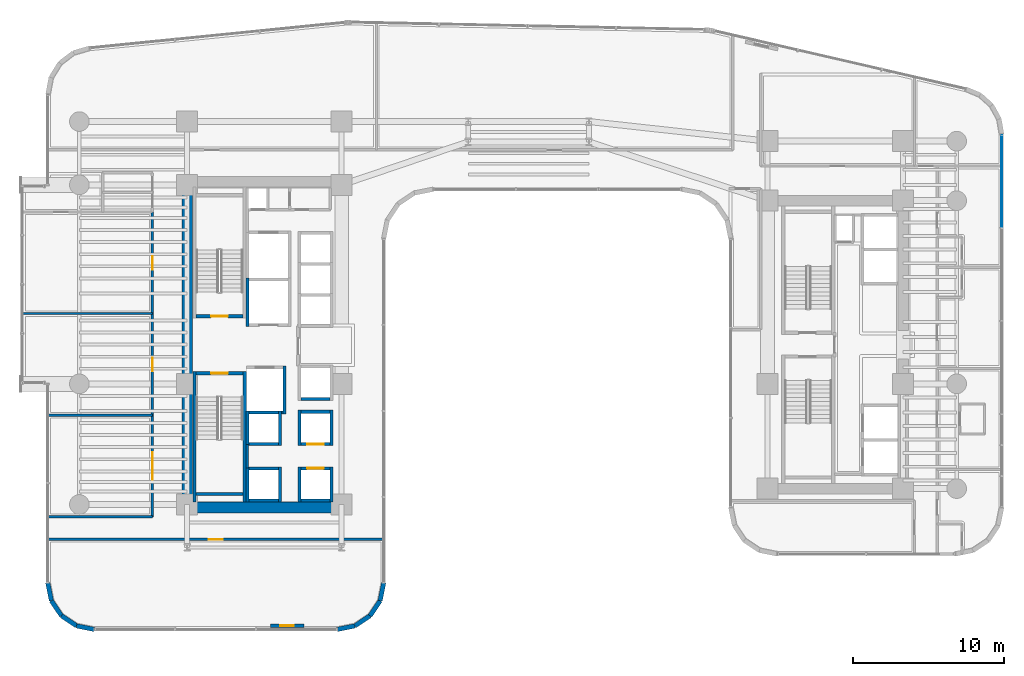
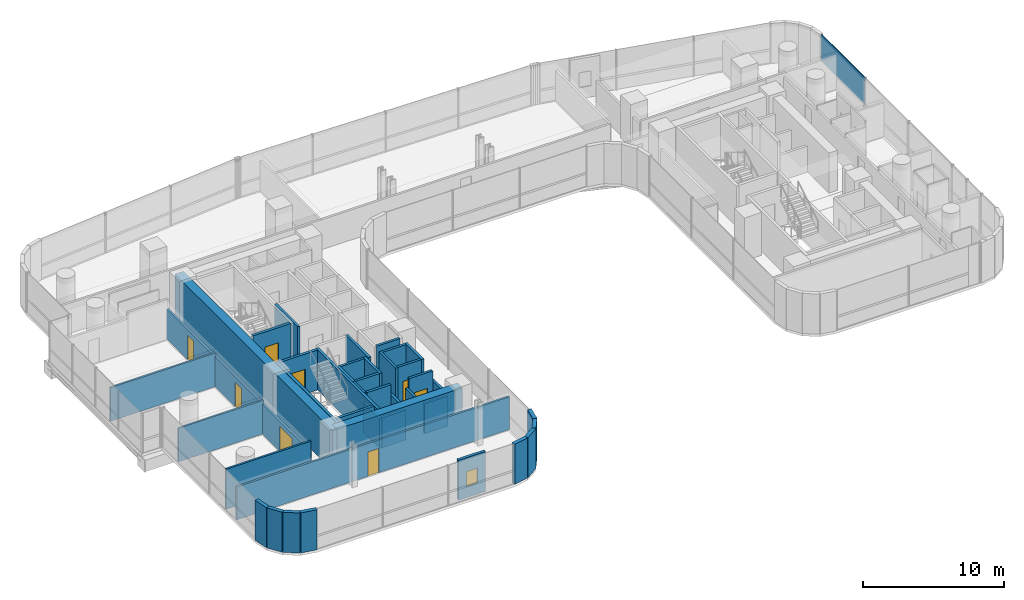
# One storey, part 29 of 39: 41 walls, 8 doors, 1 plate, 1 window, 9 openings, 1 element without a shape of its own.
"""IFC4 building model written with IfcOpenShell, lengths in metres."""

from ifc_helpers import new_model, si_unit, direction, frame, frame_2d, origin, origin_2d, place, context, subcontext, project, spatial, rectangle, extrude, source, transform, mapped, material, layer, layer_set, type_object, element, fill, aggregate, save


model = new_model("IFC4")

# Units and contexts
model_context = context("Model", 3, precision=1e-05, world=origin(), true_north=direction((0.0, 1.0)))
body_context = subcontext(model_context, "Body", "Model", "MODEL_VIEW")
ifc_project = project(units=[si_unit("LENGTHUNIT", "METRE"), si_unit("AREAUNIT", "SQUARE_METRE"), si_unit("VOLUMEUNIT", "CUBIC_METRE"), si_unit("PLANEANGLEUNIT", "RADIAN"), si_unit("MASSUNIT", "GRAM", prefix="KILO")], contexts=[model_context])

# Site, building, storey
site_placement = place(None, origin())
site = spatial("IfcSite", under=ifc_project, at=site_placement, CompositionType="ELEMENT")
building_placement = place(site_placement, origin())
building = spatial("IfcBuilding", under=site, at=building_placement, Name="Valdorenza Pilgrim Sanctuary Tower", CompositionType="ELEMENT")
storey_placement = place(building_placement, frame((0.0, 0.0, 74.10009765625)))
storey = spatial("IfcBuildingStorey", under=building, at=storey_placement, Name="L18", CompositionType="ELEMENT", Elevation=74.10009765625)

# Curtain wall, plate
ifc_material_1 = material(Name="Curtain-wall IGU glazing", Category="glass")
curtain_wall_type = type_object("IfcCurtainWallType", Name="CW-SYS-03", PredefinedType="NOTDEFINED", material=ifc_material_1)
curtain_wall_placement = place(storey_placement, origin())
curtain_wall = element("IfcCurtainWall", 1, at=curtain_wall_placement, inside=storey, type_object=curtain_wall_type, Name="L18 Curtain Wall CW-L18-1-21", PredefinedType="NOTDEFINED")
ifc_material_2 = material(Name="Ceramic-fritted low-E IGU glazing", Category="glass")
ifc_layer_1 = layer(ifc_material_2, 0.035888671875, Name="Ceramic-fritted low-E IGU glazing")
ifc_layer_set_1 = layer_set([ifc_layer_1], Name="Ceramic-fritted low-E IGU glazing")
plate_type = type_object("IfcPlateType", Name="CW-GLZ-IGU", PredefinedType="USERDEFINED", material=ifc_layer_set_1)
shared_shape = source(origin(), body_context, "Body", "SweptSolid", [
    extrude(rectangle(XDim=6.16357421875, YDim=0.050048828125, at=origin_2d()), origin(), (0.0, 0.0, 1.0), 2.320068359375),
])
plate_placement = place(storey_placement, frame((31.389892578125, 10.853271484375, 1.1298828125), z_axis=(0.0, 0.0, 1.0), x_axis=(0.0, -1.0, 0.0)))
plate = element("IfcPlate", 2, at=plate_placement, type_object=plate_type, Name="CW-L18-1-21 Facade Panel 1", ObjectType="GLAZING", PredefinedType="USERDEFINED", context=body_context, shape_type="MappedRepresentation", body=[
    mapped(shared_shape, transform((0.0, 0.0, 0.0), x_axis=(1.0, 0.0, 0.0), y_axis=(0.0, 1.0, 0.0), z_axis=(0.0, 0.0, 1.0), scale=1.0)),
])
aggregate(curtain_wall, [plate])

# Wall
ifc_material_3 = material(Name="Acoustic twin-stud gypsum partition", Category="gypsum")
ifc_layer_2 = layer(ifc_material_3, 0.159912109375, Name="Acoustic twin-stud gypsum partition")
ifc_layer_set_2 = layer_set([ifc_layer_2], Name="Acoustic twin-stud gypsum partition")
wall_type_1 = type_object("IfcWallType", Name="WAL-COR-160", PredefinedType="PARTITIONING", material=ifc_layer_set_2)
wall_1_placement = place(storey_placement, frame((-18.64990234375, -8.179931640625, 0.0), z_axis=(0.0, 0.0, 1.0), x_axis=(0.0, 1.0, 0.0)))
element("IfcWall", 3, at=wall_1_placement, inside=storey, type_object=wall_type_1, Name="L18 Core A South Lift Hall West Wall", PredefinedType="PARTITIONING", context=body_context, shape_type="SweptSolid", body=[
    extrude(rectangle(XDim=1.559814453125, YDim=0.159912109375, at=frame_2d((0.77978515625, 0.0))), origin(), (0.0, 0.0, 1.0), 3.4599609375),
])

# Wall, openings, doors
wall_2_placement = place(storey_placement, frame((-24.949951171875, -11.419921875, 0.0), z_axis=(0.0, 0.0, 1.0), x_axis=(0.0, 1.0, 0.0)))
wall_2 = element("IfcWall", 4, at=wall_2_placement, inside=storey, type_object=wall_type_1, Name="L18 West Wing Corridor Wall", PredefinedType="PARTITIONING", context=body_context, shape_type="SweptSolid", body=[
    extrude(rectangle(XDim=20.219970703125, YDim=0.159912109375, at=frame_2d((10.10986328125, 0.0))), origin(), (0.0, 0.0, 1.0), 2.5830078125),
])
opening_1_placement = place(wall_2_placement, frame((2.469970703125, 0.0, 0.0)))
opening_1 = element("IfcOpeningElement", 5, at=opening_1_placement, cuts=wall_2, Name="Opening DR-HL1", PredefinedType="OPENING", context=body_context, shape_type="SweptSolid", body=[
    extrude(rectangle(XDim=1.800048828125, YDim=2.14990234375, at=frame_2d((0.89990234375, 1.074951171875))), frame((0.0, 0.0947265625, 0.0), z_axis=(0.0, -1.0, 0.0), x_axis=(1.0, 0.0, 0.0)), (0.0, 0.0, 1.0), 0.189697265625),
])
opening_2_placement = place(wall_2_placement, frame((9.659912109375, 0.0, 0.0)))
opening_2 = element("IfcOpeningElement", 6, at=opening_2_placement, cuts=wall_2, Name="Opening DR-RM1", PredefinedType="OPENING", context=body_context, shape_type="SweptSolid", body=[
    extrude(rectangle(XDim=0.89990234375, YDim=2.10009765625, at=frame_2d((0.449951171875, 1.050048828125))), frame((0.0, 0.0947265625, 0.0), z_axis=(0.0, -1.0, 0.0), x_axis=(1.0, 0.0, 0.0)), (0.0, 0.0, 1.0), 0.189697265625),
])
opening_3_placement = place(wall_2_placement, frame((16.39990234375, 0.0, 0.0)))
opening_3 = element("IfcOpeningElement", 7, at=opening_3_placement, cuts=wall_2, Name="Opening DR-RM1", PredefinedType="OPENING", context=body_context, shape_type="SweptSolid", body=[
    extrude(rectangle(XDim=0.89990234375, YDim=2.10009765625, at=frame_2d((0.449951171875, 1.050048828125))), frame((0.0, 0.0947265625, 0.0), z_axis=(0.0, -1.0, 0.0), x_axis=(1.0, 0.0, 0.0)), (0.0, 0.0, 1.0), 0.189697265625),
])
ifc_material_4 = material(Name="Acoustic oak and vision-glass double door", Category="glass")
door_type_1 = type_object("IfcDoorType", Name="DR-HALL-1800", OperationType="NOTDEFINED", PredefinedType="DOOR", material=ifc_material_4)
door_1_placement = place(opening_1_placement, frame((1.800048828125, 0.0, 0.0), z_axis=(0.0, 0.0, 1.0), x_axis=(-1.0, 0.0, 0.0)))
door_1 = element("IfcDoor", 8, at=door_1_placement, inside=storey, type_object=door_type_1, Name="L18 Main Pilgrim Dining Restaurant L18 Door", OperationType="DOUBLE_DOOR_SINGLE_SWING", OverallHeight=2.14990234375, OverallWidth=1.800048828125, PredefinedType="DOOR", context=body_context, shape_type="SweptSolid", body=[
    extrude(rectangle(XDim=1.800048828125, YDim=2.14990234375, at=frame_2d((0.89990234375, 1.074951171875))), frame((0.0, 0.02490234375, 0.0), z_axis=(0.0, -1.0, 0.0), x_axis=(1.0, 0.0, 0.0)), (0.0, 0.0, 1.0), 0.050048828125),
])
fill(opening_1, door_1)
ifc_material_5 = material(Name="Solid-core European oak timber", Category="wood")
door_type_2 = type_object("IfcDoorType", Name="DR-ROOM-900", OperationType="NOTDEFINED", PredefinedType="DOOR", material=ifc_material_5)
door_2_placement = place(opening_2_placement, origin())
door_2 = element("IfcDoor", 9, at=door_2_placement, inside=storey, type_object=door_type_2, Name="L18 Commercial Refectory Kitchen L18 Door", OperationType="SINGLE_SWING_RIGHT", OverallHeight=2.10009765625, OverallWidth=0.89990234375, PredefinedType="DOOR", context=body_context, shape_type="SweptSolid", body=[
    extrude(rectangle(XDim=0.89990234375, YDim=2.10009765625, at=frame_2d((0.449951171875, 1.050048828125))), frame((0.0, 0.02490234375, 0.0), z_axis=(0.0, -1.0, 0.0), x_axis=(1.0, 0.0, 0.0)), (0.0, 0.0, 1.0), 0.050048828125),
])
fill(opening_2, door_2)
door_3_placement = place(opening_3_placement, frame((0.89990234375, 0.0, 0.0), z_axis=(0.0, 0.0, 1.0), x_axis=(-1.0, 0.0, 0.0)))
door_3 = element("IfcDoor", 10, at=door_3_placement, inside=storey, type_object=door_type_2, Name="L18 Private Banquet Dining Room L18 Door", OperationType="SINGLE_SWING_LEFT", OverallHeight=2.10009765625, OverallWidth=0.89990234375, PredefinedType="DOOR", context=body_context, shape_type="SweptSolid", body=[
    extrude(rectangle(XDim=0.89990234375, YDim=2.10009765625, at=frame_2d((0.449951171875, 1.050048828125))), frame((0.0, 0.02490234375, 0.0), z_axis=(0.0, -1.0, 0.0), x_axis=(1.0, 0.0, 0.0)), (0.0, 0.0, 1.0), 0.050048828125),
])
fill(opening_3, door_3)

# Wall, opening, door
wall_3_placement = place(storey_placement, frame((-31.889892578125, -12.919921875, 0.0), z_axis=(0.0, 0.0, 1.0), x_axis=(1.0, 0.0, 0.0)))
wall_3 = element("IfcWall", 11, at=wall_3_placement, inside=storey, type_object=wall_type_1, Name="L18 South Wing Corridor Wall", PredefinedType="PARTITIONING", context=body_context, shape_type="SweptSolid", body=[
    extrude(rectangle(XDim=22.27978515625, YDim=0.159912109375, at=frame_2d((11.139892578125, 0.0))), origin(), (0.0, 0.0, 1.0), 2.833984375),
])
opening_4_placement = place(wall_3_placement, frame((10.68994140625, 0.0, 0.0)))
opening_4 = element("IfcOpeningElement", 12, at=opening_4_placement, cuts=wall_3, Name="Opening DR-RM1", PredefinedType="OPENING", context=body_context, shape_type="SweptSolid", body=[
    extrude(rectangle(XDim=0.89990234375, YDim=2.10009765625, at=frame_2d((0.449951171875, 1.050048828125))), frame((0.0, 0.0947265625, 0.0), z_axis=(0.0, -1.0, 0.0), x_axis=(1.0, 0.0, 0.0)), (0.0, 0.0, 1.0), 0.189697265625),
])
door_4_placement = place(opening_4_placement, origin())
door_4 = element("IfcDoor", 13, at=door_4_placement, inside=storey, type_object=door_type_2, Name="L18 Retreat Discussion Room L18-S1 Door", OperationType="SINGLE_SWING_RIGHT", OverallHeight=2.10009765625, OverallWidth=0.89990234375, PredefinedType="DOOR", context=body_context, shape_type="SweptSolid", body=[
    extrude(rectangle(XDim=0.89990234375, YDim=2.10009765625, at=frame_2d((0.449951171875, 1.050048828125))), frame((0.0, 0.02490234375, 0.0), z_axis=(0.0, -1.0, 0.0), x_axis=(1.0, 0.0, 0.0)), (0.0, 0.0, 1.0), 0.050048828125),
])
fill(opening_4, door_4)

# Walls
wall_4_placement = place(storey_placement, frame((-31.889892578125, -11.419921875, 0.0), z_axis=(0.0, 0.0, 1.0), x_axis=(1.0, 0.0, 0.0)))
element("IfcWall", 14, at=wall_4_placement, inside=storey, type_object=wall_type_1, Name="L18 South-West Corridor North Wall", PredefinedType="PARTITIONING", context=body_context, shape_type="SweptSolid", body=[
    extrude(rectangle(XDim=6.93994140625, YDim=0.159912109375, at=frame_2d((3.469970703125, 0.0))), origin(), (0.0, 0.0, 1.0), 3.4599609375),
])
ifc_material_6 = material(Name="Concrete C60/75", Category="concrete")
ifc_layer_3 = layer(ifc_material_6, 0.699951171875, Name="Concrete C60/75")
ifc_layer_set_3 = layer_set([ifc_layer_3], Name="Concrete C60/75")
wall_type_2 = type_object("IfcWallType", Name="WAL-COR-700", PredefinedType="SHEAR", material=ifc_layer_set_3)
wall_5_placement = place(storey_placement, frame((-22.64990234375, -11.14990234375, 0.0), z_axis=(0.0, 0.0, 1.0), x_axis=(0.0, 1.0, 0.0)))
element("IfcWall", 15, at=wall_5_placement, inside=storey, type_object=wall_type_2, Name="L18 Split Core A Shear Wall W", PredefinedType="SHEAR", context=body_context, shape_type="SweptSolid", body=[
    extrude(rectangle(XDim=22.2998046875, YDim=0.699951171875, at=frame_2d((11.14990234375, 0.0))), origin(), (0.0, 0.0, 1.0), 3.4599609375),
])
wall_6_placement = place(storey_placement, frame((-22.64990234375, -10.800048828125, 0.0), z_axis=(0.0, 0.0, 1.0), x_axis=(1.0, 0.0, 0.0)))
element("IfcWall", 16, at=wall_6_placement, inside=storey, type_object=wall_type_2, Name="L18 Split Core A Shear Wall S", PredefinedType="SHEAR", context=body_context, shape_type="SweptSolid", body=[
    extrude(rectangle(XDim=10.25, YDim=0.699951171875, at=frame_2d((5.125, 0.0))), origin(), (0.0, 0.0, 1.0), 3.4599609375),
])
ifc_material_7 = material(Name="Honed travertine limestone", Category="masonry")
ifc_layer_4 = layer(ifc_material_7, 0.300048828125, Name="Honed travertine limestone")
ifc_layer_set_4 = layer_set([ifc_layer_4], Name="Honed travertine limestone")
wall_type_3 = type_object("IfcWallType", Name="WAL-EXT-300", PredefinedType="SOLIDWALL", material=ifc_layer_set_4)
wall_7_placement = place(storey_placement, frame((-9.610107421875, -15.789306640625, 0.0), z_axis=(0.0, 0.0, 1.0), x_axis=(-0.194996050505, -0.980804027463, 0.0)))
element("IfcWall", 17, at=wall_7_placement, inside=storey, type_object=wall_type_3, Name="L18 Rounded Wind-Corner Stone Pier 42", PredefinedType="SOLIDWALL", context=body_context, shape_type="SweptSolid", body=[
    extrude(rectangle(XDim=1.2158203125, YDim=0.300048828125, at=frame_2d((0.60791015625, 0.0))), origin(), (0.0, 0.0, 1.0), 3.4599609375),
])
for number, where, z_axis, x_axis, name in (
    (18, (-9.84716796875, -16.981689453125, 0.0), (0.0, 0.0, 1.0), (-0.555635100982, -0.831426265255, 0.0), "L18 Rounded Wind-Corner Stone Pier 43"),
    (19, (-10.5166015625, -17.9833984375, 0.0), (0.0, 0.0, 1.0), (-0.831426265255, -0.555635100982, 0.0), "L18 Rounded Wind-Corner Stone Pier 44"),
):
    element("IfcWall", number, at=place(storey_placement, frame(where, z_axis=z_axis, x_axis=x_axis)), inside=storey, type_object=wall_type_3, Name=name, PredefinedType="SOLIDWALL", context=body_context, shape_type="SweptSolid", body=[
        extrude(rectangle(XDim=1.204833984375, YDim=0.300048828125, at=frame_2d((0.6025390625, 0.0))), origin(), (0.0, 0.0, 1.0), 3.4599609375),
    ])
wall_8_placement = place(storey_placement, frame((-11.518310546875, -18.65283203125, 0.0), z_axis=(0.0, 0.0, 1.0), x_axis=(-0.980804027463, -0.194996050505, 0.0)))
element("IfcWall", 20, at=wall_8_placement, inside=storey, type_object=wall_type_3, Name="L18 Rounded Wind-Corner Stone Pier 45", PredefinedType="SOLIDWALL", context=body_context, shape_type="SweptSolid", body=[
    extrude(rectangle(XDim=1.2158203125, YDim=0.300048828125, at=frame_2d((0.60791015625, 0.0))), origin(), (0.0, 0.0, 1.0), 3.4599609375),
])

# Wall, opening, window
wall_9_placement = place(storey_placement, frame((-14.910888671875, -18.64990234375, 0.0), z_axis=(0.0, 0.0, 1.0), x_axis=(-1.0, 0.0, 0.0)))
wall_9 = element("IfcWall", 21, at=wall_9_placement, inside=storey, type_object=wall_type_3, Name="L18 Operable Ventilation Sash Jamb Pier", PredefinedType="SOLIDWALL", context=body_context, shape_type="SweptSolid", body=[
    extrude(rectangle(XDim=2.199951171875, YDim=0.219970703125, at=frame_2d((1.10009765625, 0.0))), origin(), (0.0, 0.0, 1.0), 3.4599609375),
])
opening_5_placement = place(wall_9_placement, frame((0.64990234375, 0.0, 0.949951171875)))
opening_5 = element("IfcOpeningElement", 22, at=opening_5_placement, cuts=wall_9, Name="Opening WN-OP1", PredefinedType="OPENING", context=body_context, shape_type="SweptSolid", body=[
    extrude(rectangle(XDim=0.89990234375, YDim=1.300048828125, at=frame_2d((0.449951171875, 0.64990234375))), frame((0.0, 0.125, 0.0), z_axis=(0.0, -1.0, 0.0), x_axis=(1.0, 0.0, 0.0)), (0.0, 0.0, 1.0), 0.249755859375),
])
window_type = type_object("IfcWindowType", Name="WIN-OPN-900", PartitioningType="SINGLE_PANEL", PredefinedType="WINDOW", material=ifc_material_2)
window_placement = place(opening_5_placement, origin())
window = element("IfcWindow", 23, at=window_placement, inside=storey, type_object=window_type, Name="L18 Parallel-Pop-Out Operable Facade Panel", OverallHeight=1.300048828125, OverallWidth=0.89990234375, PartitioningType="SINGLE_PANEL", PredefinedType="WINDOW", context=body_context, shape_type="SweptSolid", body=[
    extrude(rectangle(XDim=0.89990234375, YDim=1.300048828125, at=frame_2d((0.449951171875, 0.64990234375))), frame((0.0, 0.030029296875, 0.0), z_axis=(0.0, -1.0, 0.0), x_axis=(1.0, 0.0, 0.0)), (0.0, 0.0, 1.0), 0.06005859375),
])
fill(opening_5, window)

# Walls
wall_10_placement = place(storey_placement, frame((-28.789306640625, -18.889892578125, 0.0), z_axis=(0.0, 0.0, 1.0), x_axis=(-0.980804027463, 0.194996050505, 0.0)))
element("IfcWall", 24, at=wall_10_placement, inside=storey, type_object=wall_type_3, Name="L18 Rounded Wind-Corner Stone Pier 47", PredefinedType="SOLIDWALL", context=body_context, shape_type="SweptSolid", body=[
    extrude(rectangle(XDim=1.2158203125, YDim=0.300048828125, at=frame_2d((0.60791015625, 0.0))), origin(), (0.0, 0.0, 1.0), 3.4599609375),
])
for number, where, z_axis, x_axis, name in (
    (25, (-29.981689453125, -18.65283203125, 0.0), (0.0, 0.0, 1.0), (-0.831426265255, 0.555635100982, 0.0), "L18 Rounded Wind-Corner Stone Pier 48"),
    (26, (-30.9833984375, -17.9833984375, 0.0), (0.0, 0.0, 1.0), (-0.555635100982, 0.831426265255, 0.0), "L18 Rounded Wind-Corner Stone Pier 49"),
):
    element("IfcWall", number, at=place(storey_placement, frame(where, z_axis=z_axis, x_axis=x_axis)), inside=storey, type_object=wall_type_3, Name=name, PredefinedType="SOLIDWALL", context=body_context, shape_type="SweptSolid", body=[
        extrude(rectangle(XDim=1.204833984375, YDim=0.300048828125, at=frame_2d((0.6025390625, 0.0))), origin(), (0.0, 0.0, 1.0), 3.4599609375),
    ])
wall_11_placement = place(storey_placement, frame((-31.65283203125, -16.981689453125, 0.0), z_axis=(0.0, 0.0, 1.0), x_axis=(-0.194996050505, 0.980804027463, 0.0)))
element("IfcWall", 27, at=wall_11_placement, inside=storey, type_object=wall_type_3, Name="L18 Rounded Wind-Corner Stone Pier 50", PredefinedType="SOLIDWALL", context=body_context, shape_type="SweptSolid", body=[
    extrude(rectangle(XDim=1.2158203125, YDim=0.300048828125, at=frame_2d((0.60791015625, 0.0))), origin(), (0.0, 0.0, 1.0), 3.4599609375),
])
ifc_material_8 = material(Name="Autoclaved aerated concrete blockwork", Category="masonry")
ifc_layer_5 = layer(ifc_material_8, 0.199951171875, Name="Autoclaved aerated concrete blockwork")
ifc_layer_set_5 = layer_set([ifc_layer_5], Name="Autoclaved aerated concrete blockwork")
wall_type_4 = type_object("IfcWallType", Name="WAL-SHF-200", PredefinedType="MOVABLE", material=ifc_layer_set_5)
wall_12_placement = place(storey_placement, frame((-18.64990234375, 1.199951171875, 0.0), z_axis=(0.0, 0.0, 1.0), x_axis=(0.0, 1.0, 0.0)))
element("IfcWall", 28, at=wall_12_placement, inside=storey, type_object=wall_type_4, Name="L18 Lift FFL-01 Hoistway Wall West", PredefinedType="MOVABLE", context=body_context, shape_type="SweptSolid", body=[
    extrude(rectangle(XDim=3.22509765625, YDim=0.199951171875, at=frame_2d((1.612548828125, 0.0))), origin(), (0.0, 0.0, 1.0), 3.4599609375),
])
wall_13_placement = place(storey_placement, frame((-16.199951171875, -4.60009765625, 0.0), z_axis=(0.0, 0.0, 1.0), x_axis=(0.0, 1.0, 0.0)))
element("IfcWall", 29, at=wall_13_placement, inside=storey, type_object=wall_type_4, Name="L18 Lift FFL-02 Hoistway Wall East", PredefinedType="MOVABLE", context=body_context, shape_type="SweptSolid", body=[
    extrude(rectangle(XDim=3.2001953125, YDim=0.199951171875, at=frame_2d((1.60009765625, 0.0))), origin(), (0.0, 0.0, 1.0), 3.4599609375),
])
wall_14_placement = place(storey_placement, frame((-18.719970703125, -4.5, 0.0), z_axis=(0.0, 0.0, 1.0), x_axis=(1.0, 0.0, 0.0)))
element("IfcWall", 30, at=wall_14_placement, inside=storey, type_object=wall_type_4, Name="L18 Lift FFL-02 Hoistway Wall South", PredefinedType="MOVABLE", context=body_context, shape_type="SweptSolid", body=[
    extrude(rectangle(XDim=2.419921875, YDim=0.199951171875, at=frame_2d((1.2099609375, 0.0))), origin(), (0.0, 0.0, 1.0), 3.4599609375),
])
for number, where, z_axis, x_axis, name in (
    (31, (-15.199951171875, -10.449951171875, 0.0), (0.0, 0.0, 1.0), (0.0, 1.0, 0.0), "L18 Lift PL-01 Hoistway Wall West"),
    (32, (-13.080078125, -10.449951171875, 0.0), (0.0, 0.0, 1.0), (0.0, 1.0, 0.0), "L18 Lift PL-01 Hoistway Wall East"),
):
    element("IfcWall", number, at=place(storey_placement, frame(where, z_axis=z_axis, x_axis=x_axis)), inside=storey, type_object=wall_type_4, Name=name, PredefinedType="MOVABLE", context=body_context, shape_type="SweptSolid", body=[
        extrude(rectangle(XDim=2.349853515625, YDim=0.199951171875, at=frame_2d((1.1748046875, 0.0))), origin(), (0.0, 0.0, 1.0), 2.5830078125),
    ])
wall_15_placement = place(storey_placement, frame((-15.10009765625, -10.35009765625, 0.0), z_axis=(0.0, 0.0, 1.0), x_axis=(1.0, 0.0, 0.0)))
element("IfcWall", 33, at=wall_15_placement, inside=storey, type_object=wall_type_4, Name="L18 Lift PL-01 Hoistway Wall South", PredefinedType="MOVABLE", context=body_context, shape_type="SweptSolid", body=[
    extrude(rectangle(XDim=1.920166015625, YDim=0.199951171875, at=frame_2d((0.9599609375, 0.0))), origin(), (0.0, 0.0, 1.0), 2.5830078125),
])

# Wall, opening, door
wall_16_placement = place(storey_placement, frame((-15.10009765625, -8.199951171875, 0.0), z_axis=(0.0, 0.0, 1.0), x_axis=(1.0, 0.0, 0.0)))
wall_16 = element("IfcWall", 34, at=wall_16_placement, inside=storey, type_object=wall_type_4, Name="L18 Lift PL-01 Hoistway Wall North", PredefinedType="MOVABLE", context=body_context, shape_type="SweptSolid", body=[
    extrude(rectangle(XDim=1.920166015625, YDim=0.199951171875, at=frame_2d((0.9599609375, 0.0))), origin(), (0.0, 0.0, 1.0), 3.4599609375),
])
opening_6_placement = place(wall_16_placement, frame((0.409912109375, 0.0, 0.0)))
opening_6 = element("IfcOpeningElement", 35, at=opening_6_placement, cuts=wall_16, Name="Opening LD-01", PredefinedType="OPENING", context=body_context, shape_type="SweptSolid", body=[
    extrude(rectangle(XDim=1.10009765625, YDim=2.10009765625, at=frame_2d((0.550048828125, 1.050048828125))), frame((0.0, 0.11474609375, 0.0), z_axis=(0.0, -1.0, 0.0), x_axis=(1.0, 0.0, 0.0)), (0.0, 0.0, 1.0), 0.229736328125),
])
ifc_material_9 = material(Name="Brushed stainless steel Grade 316", Category="steel")
door_type_3 = type_object("IfcDoorType", Name="DR-LFT-1100", OperationType="DOUBLE_DOOR_SLIDING", PredefinedType="DOOR", material=ifc_material_9)
door_5_placement = place(opening_6_placement, origin())
door_5 = element("IfcDoor", 36, at=door_5_placement, inside=storey, type_object=door_type_3, Name="L18 Lift PL-01 Sliding Landing Door", OperationType="DOUBLE_DOOR_SLIDING", OverallHeight=2.10009765625, OverallWidth=1.10009765625, PredefinedType="DOOR", context=body_context, shape_type="SweptSolid", body=[
    extrude(rectangle(XDim=1.10009765625, YDim=2.10009765625, at=frame_2d((0.550048828125, 1.050048828125))), frame((0.0, 0.02490234375, 0.0), z_axis=(0.0, -1.0, 0.0), x_axis=(1.0, 0.0, 0.0)), (0.0, 0.0, 1.0), 0.050048828125),
])
fill(opening_6, door_5)

# Walls
for number, where, z_axis, x_axis, name in (
    (37, (-15.199951171875, -6.699951171875, 0.0), (0.0, 0.0, 1.0), (0.0, 1.0, 0.0), "L18 Lift PL-02 Hoistway Wall West"),
    (38, (-13.080078125, -6.699951171875, 0.0), (0.0, 0.0, 1.0), (0.0, 1.0, 0.0), "L18 Lift PL-02 Hoistway Wall East"),
):
    element("IfcWall", number, at=place(storey_placement, frame(where, z_axis=z_axis, x_axis=x_axis)), inside=storey, type_object=wall_type_4, Name=name, PredefinedType="MOVABLE", context=body_context, shape_type="SweptSolid", body=[
        extrude(rectangle(XDim=2.349853515625, YDim=0.199951171875, at=frame_2d((1.1748046875, 0.0))), origin(), (0.0, 0.0, 1.0), 3.4599609375),
    ])

# Wall, opening, door
wall_17_placement = place(storey_placement, frame((-15.10009765625, -6.60009765625, 0.0), z_axis=(0.0, 0.0, 1.0), x_axis=(1.0, 0.0, 0.0)))
wall_17 = element("IfcWall", 39, at=wall_17_placement, inside=storey, type_object=wall_type_4, Name="L18 Lift PL-02 Hoistway Wall South", PredefinedType="MOVABLE", context=body_context, shape_type="SweptSolid", body=[
    extrude(rectangle(XDim=1.920166015625, YDim=0.199951171875, at=frame_2d((0.9599609375, 0.0))), origin(), (0.0, 0.0, 1.0), 3.4599609375),
])
opening_7_placement = place(wall_17_placement, frame((0.409912109375, 0.0, 0.0)))
opening_7 = element("IfcOpeningElement", 40, at=opening_7_placement, cuts=wall_17, Name="Opening LD-01", PredefinedType="OPENING", context=body_context, shape_type="SweptSolid", body=[
    extrude(rectangle(XDim=1.10009765625, YDim=2.10009765625, at=frame_2d((0.550048828125, 1.050048828125))), frame((0.0, 0.11474609375, 0.0), z_axis=(0.0, -1.0, 0.0), x_axis=(1.0, 0.0, 0.0)), (0.0, 0.0, 1.0), 0.229736328125),
])
door_6_placement = place(opening_7_placement, origin())
door_6 = element("IfcDoor", 41, at=door_6_placement, inside=storey, type_object=door_type_3, Name="L18 Lift PL-02 Sliding Landing Door", OperationType="DOUBLE_DOOR_SLIDING", OverallHeight=2.10009765625, OverallWidth=1.10009765625, PredefinedType="DOOR", context=body_context, shape_type="SweptSolid", body=[
    extrude(rectangle(XDim=1.10009765625, YDim=2.10009765625, at=frame_2d((0.550048828125, 1.050048828125))), frame((0.0, 0.02490234375, 0.0), z_axis=(0.0, -1.0, 0.0), x_axis=(1.0, 0.0, 0.0)), (0.0, 0.0, 1.0), 0.050048828125),
])
fill(opening_7, door_6)

# Walls
wall_18_placement = place(storey_placement, frame((-15.10009765625, -4.449951171875, 0.0), z_axis=(0.0, 0.0, 1.0), x_axis=(1.0, 0.0, 0.0)))
element("IfcWall", 42, at=wall_18_placement, inside=storey, type_object=wall_type_4, Name="L18 Lift PL-02 Hoistway Wall North", PredefinedType="MOVABLE", context=body_context, shape_type="SweptSolid", body=[
    extrude(rectangle(XDim=1.920166015625, YDim=0.199951171875, at=frame_2d((0.9599609375, 0.0))), origin(), (0.0, 0.0, 1.0), 3.4599609375),
])
for number, where, z_axis, x_axis, name in (
    (43, (-18.64990234375, -10.449951171875, 0.0), (0.0, 0.0, 1.0), (0.0, 1.0, 0.0), "L18 Lift PL-05 Hoistway Wall West"),
    (44, (-16.5, -10.449951171875, 0.0), (0.0, 0.0, 1.0), (0.0, 1.0, 0.0), "L18 Lift PL-05 Hoistway Wall East"),
):
    element("IfcWall", number, at=place(storey_placement, frame(where, z_axis=z_axis, x_axis=x_axis)), inside=storey, type_object=wall_type_4, Name=name, PredefinedType="MOVABLE", context=body_context, shape_type="SweptSolid", body=[
        extrude(rectangle(XDim=2.349853515625, YDim=0.199951171875, at=frame_2d((1.1748046875, 0.0))), origin(), (0.0, 0.0, 1.0), 2.5830078125),
    ])
wall_19_placement = place(storey_placement, frame((-18.550048828125, -10.35009765625, 0.0), z_axis=(0.0, 0.0, 1.0), x_axis=(1.0, 0.0, 0.0)))
element("IfcWall", 45, at=wall_19_placement, inside=storey, type_object=wall_type_4, Name="L18 Lift PL-05 Hoistway Wall South", PredefinedType="MOVABLE", context=body_context, shape_type="SweptSolid", body=[
    extrude(rectangle(XDim=1.949951171875, YDim=0.199951171875, at=frame_2d((0.97509765625, 0.0))), origin(), (0.0, 0.0, 1.0), 2.5830078125),
])
wall_20_placement = place(storey_placement, frame((-18.550048828125, -8.199951171875, 0.0), z_axis=(0.0, 0.0, 1.0), x_axis=(1.0, 0.0, 0.0)))
element("IfcWall", 46, at=wall_20_placement, inside=storey, type_object=wall_type_4, Name="L18 Lift PL-05 Hoistway Wall North", PredefinedType="MOVABLE", context=body_context, shape_type="SweptSolid", body=[
    extrude(rectangle(XDim=1.949951171875, YDim=0.199951171875, at=frame_2d((0.97509765625, 0.0))), origin(), (0.0, 0.0, 1.0), 3.4599609375),
])
for number, where, z_axis, x_axis, name in (
    (47, (-18.64990234375, -6.699951171875, 0.0), (0.0, 0.0, 1.0), (0.0, 1.0, 0.0), "L18 Lift PL-11 Hoistway Wall West"),
    (48, (-16.5, -6.699951171875, 0.0), (0.0, 0.0, 1.0), (0.0, 1.0, 0.0), "L18 Lift PL-11 Hoistway Wall East"),
):
    element("IfcWall", number, at=place(storey_placement, frame(where, z_axis=z_axis, x_axis=x_axis)), inside=storey, type_object=wall_type_4, Name=name, PredefinedType="MOVABLE", context=body_context, shape_type="SweptSolid", body=[
        extrude(rectangle(XDim=2.300048828125, YDim=0.199951171875, at=frame_2d((1.14990234375, 0.0))), origin(), (0.0, 0.0, 1.0), 3.4599609375),
    ])
wall_21_placement = place(storey_placement, frame((-18.550048828125, -6.60009765625, 0.0), z_axis=(0.0, 0.0, 1.0), x_axis=(1.0, 0.0, 0.0)))
element("IfcWall", 49, at=wall_21_placement, inside=storey, type_object=wall_type_4, Name="L18 Lift PL-11 Hoistway Wall South", PredefinedType="MOVABLE", context=body_context, shape_type="SweptSolid", body=[
    extrude(rectangle(XDim=1.949951171875, YDim=0.199951171875, at=frame_2d((0.97509765625, 0.0))), origin(), (0.0, 0.0, 1.0), 3.4599609375),
])
wall_22_placement = place(storey_placement, frame((-15.10009765625, -3.60009765625, 0.0), z_axis=(0.0, 0.0, 1.0), x_axis=(1.0, 0.0, 0.0)))
element("IfcWall", 50, at=wall_22_placement, inside=storey, type_object=wall_type_4, Name="L18 Lift PL-12 Hoistway Wall South", PredefinedType="MOVABLE", context=body_context, shape_type="SweptSolid", body=[
    extrude(rectangle(XDim=1.920166015625, YDim=0.199951171875, at=frame_2d((0.9599609375, 0.0))), origin(), (0.0, 0.0, 1.0), 3.4599609375),
])

# Wall, opening, door
ifc_material_10 = material(Name="Concrete C40/50", Category="concrete")
ifc_layer_6 = layer(ifc_material_10, 0.219970703125, Name="Concrete C40/50")
ifc_layer_set_6 = layer_set([ifc_layer_6], Name="Concrete C40/50")
wall_type_5 = type_object("IfcWallType", Name="WAL-STR-SHF-220", PredefinedType="SHEAR", material=ifc_layer_set_6)
wall_23_placement = place(storey_placement, frame((-22.050048828125, 1.889892578125, 0.0), z_axis=(0.0, 0.0, 1.0), x_axis=(1.0, 0.0, 0.0)))
wall_23 = element("IfcWall", 51, at=wall_23_placement, inside=storey, type_object=wall_type_5, Name="L18 ST-A1 Structural Stairwell Wall S", PredefinedType="SHEAR", context=body_context, shape_type="SweptSolid", body=[
    extrude(rectangle(XDim=3.110107421875, YDim=0.219970703125, at=frame_2d((1.55517578125, 0.0))), origin(), (0.0, 0.0, 1.0), 3.4599609375),
])
opening_8_placement = place(wall_23_placement, frame((1.0, 0.0, 0.0)))
opening_8 = element("IfcOpeningElement", 52, at=opening_8_placement, cuts=wall_23, Name="Opening DR-ST1", PredefinedType="OPENING", context=body_context, shape_type="SweptSolid", body=[
    extrude(rectangle(XDim=1.10009765625, YDim=2.14990234375, at=frame_2d((0.550048828125, 1.074951171875))), frame((0.0, 0.125, 0.0), z_axis=(0.0, -1.0, 0.0), x_axis=(1.0, 0.0, 0.0)), (0.0, 0.0, 1.0), 0.249755859375),
])
ifc_material_11 = material(Name="Painted galvanized steel", Category="steel")
door_type_4 = type_object("IfcDoorType", Name="DR-STAIR-1100", OperationType="NOTDEFINED", PredefinedType="DOOR", material=ifc_material_11)
door_7_placement = place(opening_8_placement, frame((1.10009765625, 0.0, 0.0), z_axis=(0.0, 0.0, 1.0), x_axis=(-1.0, 0.0, 0.0)))
door_7 = element("IfcDoor", 53, at=door_7_placement, inside=storey, type_object=door_type_4, Name="L18 Exit Stair ST-A1 Door", OperationType="SINGLE_SWING_LEFT", OverallHeight=2.14990234375, OverallWidth=1.10009765625, PredefinedType="DOOR", context=body_context, shape_type="SweptSolid", body=[
    extrude(rectangle(XDim=1.10009765625, YDim=2.14990234375, at=frame_2d((0.550048828125, 1.074951171875))), frame((0.0, 0.02490234375, 0.0), z_axis=(0.0, -1.0, 0.0), x_axis=(1.0, 0.0, 0.0)), (0.0, 0.0, 1.0), 0.050048828125),
])
fill(opening_8, door_7)

# Walls
for number, where, z_axis, x_axis, name in (
    (54, (-22.159912109375, -10.449951171875, 0.0), (0.0, 0.0, 1.0), (0.0, 1.0, 0.0), "L18 ST-A2 Structural Stairwell Wall W"),
    (55, (-18.830078125, -10.449951171875, 0.0), (0.0, 0.0, 1.0), (0.0, 1.0, 0.0), "L18 ST-A2 Structural Stairwell Wall E"),
):
    element("IfcWall", number, at=place(storey_placement, frame(where, z_axis=z_axis, x_axis=x_axis)), inside=storey, type_object=wall_type_5, Name=name, PredefinedType="SHEAR", context=body_context, shape_type="SweptSolid", body=[
        extrude(rectangle(XDim=8.669921875, YDim=0.219970703125, at=frame_2d((4.3349609375, 0.0))), origin(), (0.0, 0.0, 1.0), 3.4599609375),
    ])
wall_24_placement = place(storey_placement, frame((-22.050048828125, -9.909912109375, 0.0), z_axis=(0.0, 0.0, 1.0), x_axis=(1.0, 0.0, 0.0)))
element("IfcWall", 56, at=wall_24_placement, inside=storey, type_object=wall_type_5, Name="L18 ST-A2 Structural Stairwell Wall S", PredefinedType="SHEAR", context=body_context, shape_type="SweptSolid", body=[
    extrude(rectangle(XDim=3.110107421875, YDim=0.219970703125, at=frame_2d((1.55517578125, 0.0))), origin(), (0.0, 0.0, 1.0), 3.4599609375),
])

# Wall, opening, door
wall_25_placement = place(storey_placement, frame((-22.050048828125, -1.889892578125, 0.0), z_axis=(0.0, 0.0, 1.0), x_axis=(1.0, 0.0, 0.0)))
wall_25 = element("IfcWall", 57, at=wall_25_placement, inside=storey, type_object=wall_type_5, Name="L18 ST-A2 Structural Stairwell Wall N", PredefinedType="SHEAR", context=body_context, shape_type="SweptSolid", body=[
    extrude(rectangle(XDim=3.110107421875, YDim=0.219970703125, at=frame_2d((1.55517578125, 0.0))), origin(), (0.0, 0.0, 1.0), 3.4599609375),
])
opening_9_placement = place(wall_25_placement, frame((1.0, 0.0, 0.0)))
opening_9 = element("IfcOpeningElement", 58, at=opening_9_placement, cuts=wall_25, Name="Opening DR-ST1", PredefinedType="OPENING", context=body_context, shape_type="SweptSolid", body=[
    extrude(rectangle(XDim=1.10009765625, YDim=2.14990234375, at=frame_2d((0.550048828125, 1.074951171875))), frame((0.0, 0.125, 0.0), z_axis=(0.0, -1.0, 0.0), x_axis=(1.0, 0.0, 0.0)), (0.0, 0.0, 1.0), 0.249755859375),
])
door_8_placement = place(opening_9_placement, origin())
door_8 = element("IfcDoor", 59, at=door_8_placement, inside=storey, type_object=door_type_4, Name="L18 Exit Stair ST-A2 Door", OperationType="SINGLE_SWING_RIGHT", OverallHeight=2.14990234375, OverallWidth=1.10009765625, PredefinedType="DOOR", context=body_context, shape_type="SweptSolid", body=[
    extrude(rectangle(XDim=1.10009765625, YDim=2.14990234375, at=frame_2d((0.550048828125, 1.074951171875))), frame((0.0, 0.02490234375, 0.0), z_axis=(0.0, -1.0, 0.0), x_axis=(1.0, 0.0, 0.0)), (0.0, 0.0, 1.0), 0.050048828125),
])
fill(opening_9, door_8)

# Walls
ifc_layer_7 = layer(ifc_material_3, 0.14990234375, Name="Acoustic twin-stud gypsum partition")
ifc_layer_set_7 = layer_set([ifc_layer_7], Name="Acoustic twin-stud gypsum partition")
wall_type_6 = type_object("IfcWallType", Name="WAL-UNT-150", PredefinedType="PARTITIONING", material=ifc_layer_set_7)
wall_26_placement = place(storey_placement, frame((-31.889892578125, -4.679931640625, 0.0), z_axis=(0.0, 0.0, 1.0), x_axis=(1.0, 0.0, 0.0)))
element("IfcWall", 60, at=wall_26_placement, inside=storey, type_object=wall_type_6, Name="L18 Commercial Refectory Kitchen L18 Demising Wall", PredefinedType="PARTITIONING", context=body_context, shape_type="SweptSolid", body=[
    extrude(rectangle(XDim=6.93994140625, YDim=0.14990234375, at=frame_2d((3.469970703125, 0.0))), origin(), (0.0, 0.0, 1.0), 2.89599609375),
])
wall_27_placement = place(storey_placement, frame((-33.5400390625, 2.06005859375, 0.0), z_axis=(0.0, 0.0, 1.0), x_axis=(1.0, 0.0, 0.0)))
element("IfcWall", 61, at=wall_27_placement, inside=storey, type_object=wall_type_6, Name="L18 Private Banquet Dining Room L18 Demising Wall", PredefinedType="PARTITIONING", context=body_context, shape_type="SweptSolid", body=[
    extrude(rectangle(XDim=8.590087890625, YDim=0.14990234375, at=frame_2d((4.294921875, 0.0))), origin(), (0.0, 0.0, 1.0), 2.89599609375),
])

save(model, "model.ifc")
